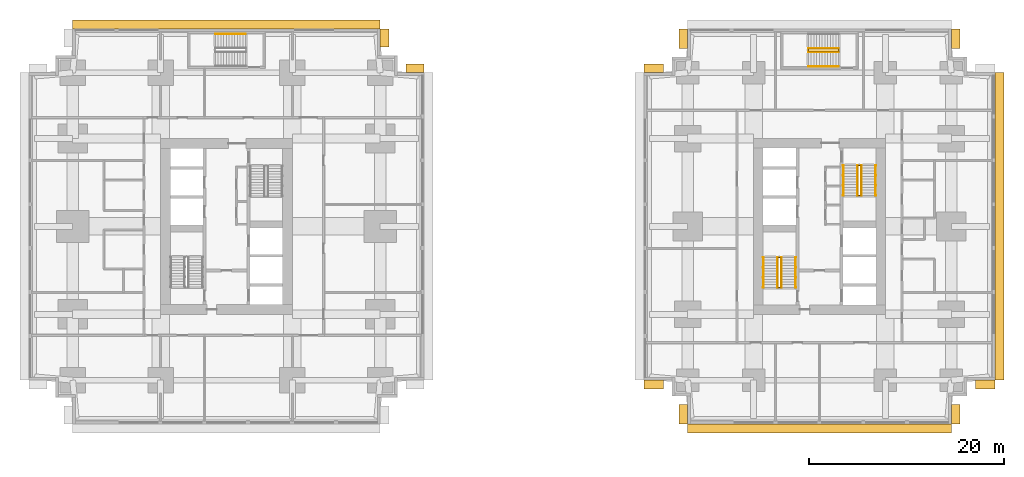
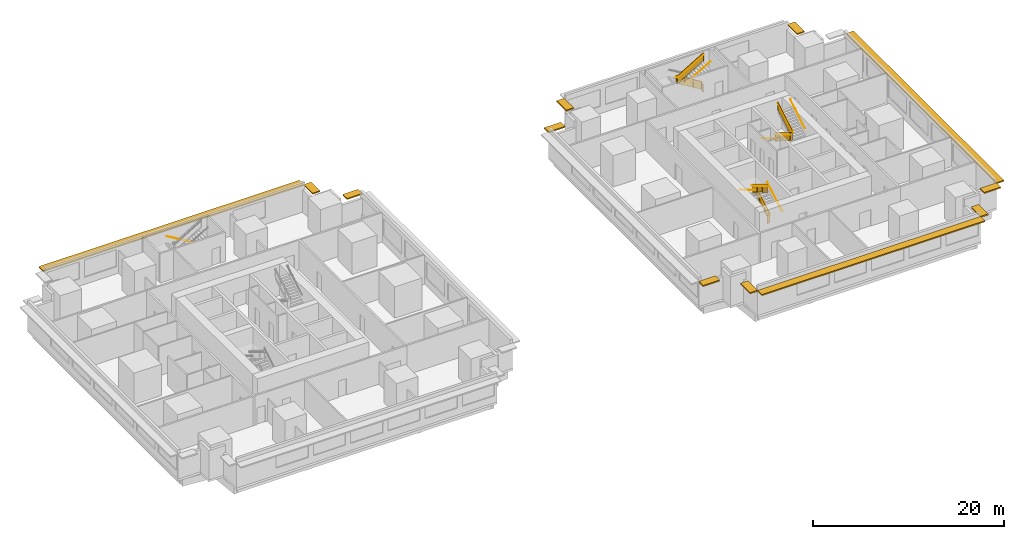
# One storey, part 11 of 12: 15 railings, 12 shading devices.
"""IFC4 building model written with IfcOpenShell, lengths in metres."""

from ifc_helpers import new_model, si_unit, direction, frame, origin, origin_2d, place, context, subcontext, project, spatial, polyline, rectangle, circle, outline, extrude, material, layer, layer_set, type_object, element, save


model = new_model("IFC4")

# Units and contexts
model_context = context("Model", 3, precision=1e-05, world=origin(), true_north=direction((0.0, 1.0)))
body_context = subcontext(model_context, "Body", "Model", "MODEL_VIEW")
ifc_project = project(units=[si_unit("LENGTHUNIT", "METRE"), si_unit("AREAUNIT", "SQUARE_METRE"), si_unit("VOLUMEUNIT", "CUBIC_METRE"), si_unit("PLANEANGLEUNIT", "RADIAN"), si_unit("MASSUNIT", "GRAM", prefix="KILO")], contexts=[model_context])

# Site, building, storey
site_placement = place(None, origin())
site = spatial("IfcSite", under=ifc_project, at=site_placement, CompositionType="ELEMENT")
building_placement = place(site_placement, origin())
building = spatial("IfcBuilding", under=site, at=building_placement, Name="Namib Vertical Campus", CompositionType="ELEMENT")
storey_placement = place(building_placement, frame((0.0, 0.0, 45.0)))
storey = spatial("IfcBuildingStorey", under=building, at=storey_placement, Name="L10", CompositionType="ELEMENT", Elevation=45.0)

# Railings
ifc_material_1 = material(Name="Steel handrail", Category="steel")
railing_type_1 = type_object("IfcRailingType", Name="Handrail 900", PredefinedType="HANDRAIL", material=ifc_material_1)
railing_1_placement = place(storey_placement, frame((78.550048828125, 14.0, 0.166748046875)))
element("IfcRailing", 1, at=railing_1_placement, inside=storey, type_object=railing_type_1, Name="Handrail HR1 B-S1 L10 1", PredefinedType="HANDRAIL", context=body_context, shape_type="SweptSolid", body=[
    extrude(circle(Radius=0.02392578125, at=origin_2d()), frame((0.0, 0.0, 0.8759765625), z_axis=(0.0, 0.859308565015, 0.511457515432), x_axis=(-1.0, 0.0, 0.0)), (0.0, 0.0, 1.0), 3.58447265625),
    extrude(circle(Radius=0.008056640625, at=origin_2d()), frame((0.0, 0.0, 0.8759765625), z_axis=(1.0, 0.0, 0.0), x_axis=(0.0, 0.0, 1.0)), (0.0, 0.0, 1.0), 0.050048828125),
    extrude(circle(Radius=0.008056640625, at=origin_2d()), frame((0.0, 1.026611328125, 1.48681640625), z_axis=(1.0, 0.0, 0.0), x_axis=(0.0, 0.0, 1.0)), (0.0, 0.0, 1.0), 0.050048828125),
    extrude(circle(Radius=0.008056640625, at=origin_2d()), frame((0.0, 2.053466796875, 2.09814453125), z_axis=(1.0, 0.0, 0.0), x_axis=(0.0, 0.0, 1.0)), (0.0, 0.0, 1.0), 0.050048828125),
    extrude(circle(Radius=0.008056640625, at=origin_2d()), frame((0.0, 3.080078125, 2.708984375), z_axis=(1.0, 0.0, 0.0), x_axis=(0.0, 0.0, 1.0)), (0.0, 0.0, 1.0), 0.050048828125),
])
railing_2_placement = place(storey_placement, frame((75.25, 17.080078125, 2.166748046875)))
element("IfcRailing", 2, at=railing_2_placement, inside=storey, type_object=railing_type_1, Name="Handrail HR1 B-S1 L10 2", PredefinedType="HANDRAIL", context=body_context, shape_type="SweptSolid", body=[
    extrude(circle(Radius=0.02392578125, at=origin_2d()), frame((0.0, 0.0, 0.8759765625), z_axis=(0.0, -0.859308565015, 0.511457515432), x_axis=(1.0, 0.0, 0.0)), (0.0, 0.0, 1.0), 3.58447265625),
    extrude(circle(Radius=0.008056640625, at=origin_2d()), frame((0.0, 0.0, 0.8759765625), z_axis=(-1.0, 0.0, 0.0), x_axis=(0.0, 0.0, 1.0)), (0.0, 0.0, 1.0), 0.050048828125),
    extrude(circle(Radius=0.008056640625, at=origin_2d()), frame((0.0, -1.026611328125, 1.48681640625), z_axis=(-1.0, 0.0, 0.0), x_axis=(0.0, 0.0, 1.0)), (0.0, 0.0, 1.0), 0.050048828125),
    extrude(circle(Radius=0.008056640625, at=origin_2d()), frame((0.0, -2.053466796875, 2.09814453125), z_axis=(-1.0, 0.0, 0.0), x_axis=(0.0, 0.0, 1.0)), (0.0, 0.0, 1.0), 0.050048828125),
    extrude(circle(Radius=0.008056640625, at=origin_2d()), frame((0.0, -3.080078125, 2.708984375), z_axis=(-1.0, 0.0, 0.0), x_axis=(0.0, 0.0, 1.0)), (0.0, 0.0, 1.0), 0.050048828125),
])
railing_3_placement = place(storey_placement, frame((77.10009765625, 14.0, 0.166748046875)))
element("IfcRailing", 3, at=railing_3_placement, inside=storey, type_object=railing_type_1, Name="Handrail HR1 B-S1 L10 1 at the well", PredefinedType="HANDRAIL", context=body_context, shape_type="SweptSolid", body=[
    extrude(circle(Radius=0.02392578125, at=origin_2d()), frame((0.0, 0.0, 0.8759765625), z_axis=(0.0, 0.859308565015, 0.511457515432), x_axis=(-1.0, 0.0, 0.0)), (0.0, 0.0, 1.0), 3.58447265625),
    extrude(circle(Radius=0.008056640625, at=origin_2d()), frame((0.0, 0.0, 0.8759765625), z_axis=(-1.0, 0.0, 0.0), x_axis=(0.0, 0.0, 1.0)), (0.0, 0.0, 1.0), 0.0400390625),
    extrude(circle(Radius=0.008056640625, at=origin_2d()), frame((0.0, 1.026611328125, 1.48681640625), z_axis=(-1.0, 0.0, 0.0), x_axis=(0.0, 0.0, 1.0)), (0.0, 0.0, 1.0), 0.0400390625),
    extrude(circle(Radius=0.008056640625, at=origin_2d()), frame((0.0, 2.053466796875, 2.09814453125), z_axis=(-1.0, 0.0, 0.0), x_axis=(0.0, 0.0, 1.0)), (0.0, 0.0, 1.0), 0.0400390625),
    extrude(circle(Radius=0.008056640625, at=origin_2d()), frame((0.0, 3.080078125, 2.708984375), z_axis=(-1.0, 0.0, 0.0), x_axis=(0.0, 0.0, 1.0)), (0.0, 0.0, 1.0), 0.0400390625),
])
railing_4_placement = place(storey_placement, frame((76.699951171875, 17.080078125, 2.166748046875)))
element("IfcRailing", 4, at=railing_4_placement, inside=storey, type_object=railing_type_1, Name="Handrail HR1 B-S1 L10 2 at the well", PredefinedType="HANDRAIL", context=body_context, shape_type="SweptSolid", body=[
    extrude(circle(Radius=0.02392578125, at=origin_2d()), frame((0.0, 0.0, 0.8759765625), z_axis=(0.0, -0.859308565015, 0.511457515432), x_axis=(1.0, 0.0, 0.0)), (0.0, 0.0, 1.0), 3.58447265625),
    extrude(circle(Radius=0.008056640625, at=origin_2d()), frame((0.0, 0.0, 0.8759765625), z_axis=(1.0, 0.0, 0.0), x_axis=(0.0, 0.0, 1.0)), (0.0, 0.0, 1.0), 0.0400390625),
    extrude(circle(Radius=0.008056640625, at=origin_2d()), frame((0.0, -1.026611328125, 1.48681640625), z_axis=(1.0, 0.0, 0.0), x_axis=(0.0, 0.0, 1.0)), (0.0, 0.0, 1.0), 0.0400390625),
    extrude(circle(Radius=0.008056640625, at=origin_2d()), frame((0.0, -2.053466796875, 2.09814453125), z_axis=(1.0, 0.0, 0.0), x_axis=(0.0, 0.0, 1.0)), (0.0, 0.0, 1.0), 0.0400390625),
    extrude(circle(Radius=0.008056640625, at=origin_2d()), frame((0.0, -3.080078125, 2.708984375), z_axis=(1.0, 0.0, 0.0), x_axis=(0.0, 0.0, 1.0)), (0.0, 0.0, 1.0), 0.0400390625),
])
railing_5_placement = place(storey_placement, frame((83.449951171875, 26.5, 0.166748046875)))
element("IfcRailing", 5, at=railing_5_placement, inside=storey, type_object=railing_type_1, Name="Handrail HR1 B-S2 L10 1", PredefinedType="HANDRAIL", context=body_context, shape_type="SweptSolid", body=[
    extrude(circle(Radius=0.02392578125, at=origin_2d()), frame((0.0, 0.0, 0.8759765625), z_axis=(0.0, -0.859308565015, 0.511457515432), x_axis=(1.0, 0.0, 0.0)), (0.0, 0.0, 1.0), 3.58447265625),
    extrude(circle(Radius=0.008056640625, at=origin_2d()), frame((0.0, 0.0, 0.8759765625), z_axis=(-1.0, 0.0, 0.0), x_axis=(0.0, 0.0, 1.0)), (0.0, 0.0, 1.0), 0.050048828125),
    extrude(circle(Radius=0.008056640625, at=origin_2d()), frame((0.0, -1.026611328125, 1.48681640625), z_axis=(-1.0, 0.0, 0.0), x_axis=(0.0, 0.0, 1.0)), (0.0, 0.0, 1.0), 0.050048828125),
    extrude(circle(Radius=0.008056640625, at=origin_2d()), frame((0.0, -2.053466796875, 2.09814453125), z_axis=(-1.0, 0.0, 0.0), x_axis=(0.0, 0.0, 1.0)), (0.0, 0.0, 1.0), 0.050048828125),
    extrude(circle(Radius=0.008056640625, at=origin_2d()), frame((0.0, -3.080078125, 2.708984375), z_axis=(-1.0, 0.0, 0.0), x_axis=(0.0, 0.0, 1.0)), (0.0, 0.0, 1.0), 0.050048828125),
])
railing_6_placement = place(storey_placement, frame((86.75, 23.419921875, 2.166748046875)))
element("IfcRailing", 6, at=railing_6_placement, inside=storey, type_object=railing_type_1, Name="Handrail HR1 B-S2 L10 2", PredefinedType="HANDRAIL", context=body_context, shape_type="SweptSolid", body=[
    extrude(circle(Radius=0.02392578125, at=origin_2d()), frame((0.0, 0.0, 0.8759765625), z_axis=(0.0, 0.859308565015, 0.511457515432), x_axis=(-1.0, 0.0, 0.0)), (0.0, 0.0, 1.0), 3.58447265625),
    extrude(circle(Radius=0.008056640625, at=origin_2d()), frame((0.0, 0.0, 0.8759765625), z_axis=(1.0, 0.0, 0.0), x_axis=(0.0, 0.0, 1.0)), (0.0, 0.0, 1.0), 0.050048828125),
    extrude(circle(Radius=0.008056640625, at=origin_2d()), frame((0.0, 1.026611328125, 1.48681640625), z_axis=(1.0, 0.0, 0.0), x_axis=(0.0, 0.0, 1.0)), (0.0, 0.0, 1.0), 0.050048828125),
    extrude(circle(Radius=0.008056640625, at=origin_2d()), frame((0.0, 2.053466796875, 2.09814453125), z_axis=(1.0, 0.0, 0.0), x_axis=(0.0, 0.0, 1.0)), (0.0, 0.0, 1.0), 0.050048828125),
    extrude(circle(Radius=0.008056640625, at=origin_2d()), frame((0.0, 3.080078125, 2.708984375), z_axis=(1.0, 0.0, 0.0), x_axis=(0.0, 0.0, 1.0)), (0.0, 0.0, 1.0), 0.050048828125),
])
railing_7_placement = place(storey_placement, frame((84.89990234375, 26.5, 0.166748046875)))
element("IfcRailing", 7, at=railing_7_placement, inside=storey, type_object=railing_type_1, Name="Handrail HR1 B-S2 L10 1 at the well", PredefinedType="HANDRAIL", context=body_context, shape_type="SweptSolid", body=[
    extrude(circle(Radius=0.02392578125, at=origin_2d()), frame((0.0, 0.0, 0.8759765625), z_axis=(0.0, -0.859308565015, 0.511457515432), x_axis=(1.0, 0.0, 0.0)), (0.0, 0.0, 1.0), 3.58447265625),
    extrude(circle(Radius=0.008056640625, at=origin_2d()), frame((0.0, 0.0, 0.8759765625), z_axis=(1.0, 0.0, 0.0), x_axis=(0.0, 0.0, 1.0)), (0.0, 0.0, 1.0), 0.0400390625),
    extrude(circle(Radius=0.008056640625, at=origin_2d()), frame((0.0, -1.026611328125, 1.48681640625), z_axis=(1.0, 0.0, 0.0), x_axis=(0.0, 0.0, 1.0)), (0.0, 0.0, 1.0), 0.0400390625),
    extrude(circle(Radius=0.008056640625, at=origin_2d()), frame((0.0, -2.053466796875, 2.09814453125), z_axis=(1.0, 0.0, 0.0), x_axis=(0.0, 0.0, 1.0)), (0.0, 0.0, 1.0), 0.0400390625),
    extrude(circle(Radius=0.008056640625, at=origin_2d()), frame((0.0, -3.080078125, 2.708984375), z_axis=(1.0, 0.0, 0.0), x_axis=(0.0, 0.0, 1.0)), (0.0, 0.0, 1.0), 0.0400390625),
])
railing_8_placement = place(storey_placement, frame((85.300048828125, 23.419921875, 2.166748046875)))
element("IfcRailing", 8, at=railing_8_placement, inside=storey, type_object=railing_type_1, Name="Handrail HR1 B-S2 L10 2 at the well", PredefinedType="HANDRAIL", context=body_context, shape_type="SweptSolid", body=[
    extrude(circle(Radius=0.02392578125, at=origin_2d()), frame((0.0, 0.0, 0.8759765625), z_axis=(0.0, 0.859308565015, 0.511457515432), x_axis=(-1.0, 0.0, 0.0)), (0.0, 0.0, 1.0), 3.58447265625),
    extrude(circle(Radius=0.008056640625, at=origin_2d()), frame((0.0, 0.0, 0.8759765625), z_axis=(-1.0, 0.0, 0.0), x_axis=(0.0, 0.0, 1.0)), (0.0, 0.0, 1.0), 0.0400390625),
    extrude(circle(Radius=0.008056640625, at=origin_2d()), frame((0.0, 1.026611328125, 1.48681640625), z_axis=(-1.0, 0.0, 0.0), x_axis=(0.0, 0.0, 1.0)), (0.0, 0.0, 1.0), 0.0400390625),
    extrude(circle(Radius=0.008056640625, at=origin_2d()), frame((0.0, 2.053466796875, 2.09814453125), z_axis=(-1.0, 0.0, 0.0), x_axis=(0.0, 0.0, 1.0)), (0.0, 0.0, 1.0), 0.0400390625),
    extrude(circle(Radius=0.008056640625, at=origin_2d()), frame((0.0, 3.080078125, 2.708984375), z_axis=(-1.0, 0.0, 0.0), x_axis=(0.0, 0.0, 1.0)), (0.0, 0.0, 1.0), 0.0400390625),
])
railing_9_placement = place(storey_placement, frame((22.199951171875, 39.949951171875, 0.166748046875)))
element("IfcRailing", 9, at=railing_9_placement, inside=storey, type_object=railing_type_1, Name="Handrail HR1 A-S3 L10 1", PredefinedType="HANDRAIL", context=body_context, shape_type="SweptSolid", body=[
    extrude(circle(Radius=0.02392578125, at=origin_2d()), frame((0.0, 0.0, 0.8759765625), z_axis=(-0.859290745958, 0.0, 0.51148745235), x_axis=(0.0, -1.0, 0.0)), (0.0, 0.0, 1.0), 3.584228515625),
    extrude(circle(Radius=0.008056640625, at=origin_2d()), frame((0.0, 0.0, 0.8759765625), z_axis=(0.0, 1.0, 0.0), x_axis=(0.0, 0.0, 1.0)), (0.0, 0.0, 1.0), 0.050048828125),
    extrude(circle(Radius=0.008056640625, at=origin_2d()), frame((-1.026611328125, 0.0, 1.48681640625), z_axis=(0.0, 1.0, 0.0), x_axis=(0.0, 0.0, 1.0)), (0.0, 0.0, 1.0), 0.050048828125),
    extrude(circle(Radius=0.008056640625, at=origin_2d()), frame((-2.05322265625, 0.0, 2.09814453125), z_axis=(0.0, 1.0, 0.0), x_axis=(0.0, 0.0, 1.0)), (0.0, 0.0, 1.0), 0.050048828125),
    extrude(circle(Radius=0.008056640625, at=origin_2d()), frame((-3.079833984375, 0.0, 2.708984375), z_axis=(0.0, 1.0, 0.0), x_axis=(0.0, 0.0, 1.0)), (0.0, 0.0, 1.0), 0.050048828125),
])
railing_10_placement = place(storey_placement, frame((79.8701171875, 36.64990234375, 2.166748046875)))
element("IfcRailing", 10, at=railing_10_placement, inside=storey, type_object=railing_type_1, Name="Handrail HR1 B-S3 L10 2", PredefinedType="HANDRAIL", context=body_context, shape_type="SweptSolid", body=[
    extrude(circle(Radius=0.02392578125, at=origin_2d()), frame((0.0, 0.0, 0.8759765625), z_axis=(0.859290745958, 0.0, 0.51148745235), x_axis=(0.0, 1.0, 0.0)), (0.0, 0.0, 1.0), 3.584228515625),
    extrude(circle(Radius=0.008056640625, at=origin_2d()), frame((0.0, 0.0, 0.8759765625), z_axis=(0.0, -1.0, 0.0), x_axis=(0.0, 0.0, 1.0)), (0.0, 0.0, 1.0), 0.050048828125),
    extrude(circle(Radius=0.008056640625, at=origin_2d()), frame((1.026611328125, 0.0, 1.48681640625), z_axis=(0.0, -1.0, 0.0), x_axis=(0.0, 0.0, 1.0)), (0.0, 0.0, 1.0), 0.050048828125),
    extrude(circle(Radius=0.008056640625, at=origin_2d()), frame((2.05322265625, 0.0, 2.09814453125), z_axis=(0.0, -1.0, 0.0), x_axis=(0.0, 0.0, 1.0)), (0.0, 0.0, 1.0), 0.050048828125),
    extrude(circle(Radius=0.008056640625, at=origin_2d()), frame((3.079833984375, 0.0, 2.708984375), z_axis=(0.0, -1.0, 0.0), x_axis=(0.0, 0.0, 1.0)), (0.0, 0.0, 1.0), 0.050048828125),
])
railing_11_placement = place(storey_placement, frame((82.949951171875, 38.5, 0.166748046875)))
element("IfcRailing", 11, at=railing_11_placement, inside=storey, type_object=railing_type_1, Name="Handrail HR1 B-S3 L10 1 at the well", PredefinedType="HANDRAIL", context=body_context, shape_type="SweptSolid", body=[
    extrude(circle(Radius=0.02392578125, at=origin_2d()), frame((0.0, 0.0, 0.8759765625), z_axis=(-0.859290745958, 0.0, 0.51148745235), x_axis=(0.0, -1.0, 0.0)), (0.0, 0.0, 1.0), 3.584228515625),
    extrude(circle(Radius=0.008056640625, at=origin_2d()), frame((0.0, 0.0, 0.8759765625), z_axis=(0.0, -1.0, 0.0), x_axis=(0.0, 0.0, 1.0)), (0.0, 0.0, 1.0), 0.0400390625),
    extrude(circle(Radius=0.008056640625, at=origin_2d()), frame((-1.026611328125, 0.0, 1.48681640625), z_axis=(0.0, -1.0, 0.0), x_axis=(0.0, 0.0, 1.0)), (0.0, 0.0, 1.0), 0.0400390625),
    extrude(circle(Radius=0.008056640625, at=origin_2d()), frame((-2.05322265625, 0.0, 2.09814453125), z_axis=(0.0, -1.0, 0.0), x_axis=(0.0, 0.0, 1.0)), (0.0, 0.0, 1.0), 0.0400390625),
    extrude(circle(Radius=0.008056640625, at=origin_2d()), frame((-3.079833984375, 0.0, 2.708984375), z_axis=(0.0, -1.0, 0.0), x_axis=(0.0, 0.0, 1.0)), (0.0, 0.0, 1.0), 0.0400390625),
])
railing_12_placement = place(storey_placement, frame((79.8701171875, 38.10009765625, 2.166748046875)))
element("IfcRailing", 12, at=railing_12_placement, inside=storey, type_object=railing_type_1, Name="Handrail HR1 B-S3 L10 2 at the well", PredefinedType="HANDRAIL", context=body_context, shape_type="SweptSolid", body=[
    extrude(circle(Radius=0.02392578125, at=origin_2d()), frame((0.0, 0.0, 0.8759765625), z_axis=(0.859290745958, 0.0, 0.51148745235), x_axis=(0.0, 1.0, 0.0)), (0.0, 0.0, 1.0), 3.584228515625),
    extrude(circle(Radius=0.008056640625, at=origin_2d()), frame((0.0, 0.0, 0.8759765625), z_axis=(0.0, 1.0, 0.0), x_axis=(0.0, 0.0, 1.0)), (0.0, 0.0, 1.0), 0.0400390625),
    extrude(circle(Radius=0.008056640625, at=origin_2d()), frame((1.026611328125, 0.0, 1.48681640625), z_axis=(0.0, 1.0, 0.0), x_axis=(0.0, 0.0, 1.0)), (0.0, 0.0, 1.0), 0.0400390625),
    extrude(circle(Radius=0.008056640625, at=origin_2d()), frame((2.05322265625, 0.0, 2.09814453125), z_axis=(0.0, 1.0, 0.0), x_axis=(0.0, 0.0, 1.0)), (0.0, 0.0, 1.0), 0.0400390625),
    extrude(circle(Radius=0.008056640625, at=origin_2d()), frame((3.079833984375, 0.0, 2.708984375), z_axis=(0.0, 1.0, 0.0), x_axis=(0.0, 0.0, 1.0)), (0.0, 0.0, 1.0), 0.0400390625),
])
ifc_material_2 = material(Name="Steel balustrade", Category="steel")
railing_type_2 = type_object("IfcRailingType", Name="Stair guard 1100", PredefinedType="GUARDRAIL", material=ifc_material_2)
railing_13_placement = place(storey_placement, frame((76.75, 14.0, 0.0)))
element("IfcRailing", 13, at=railing_13_placement, inside=storey, type_object=railing_type_2, Name="Stair guard GR1 B-S1 L10", PredefinedType="GUARDRAIL", context=body_context, shape_type="SweptSolid", body=[
    extrude(circle(Radius=0.02392578125, at=origin_2d()), frame((0.0, 0.0, 1.076171875), z_axis=(1.0, 0.0, 0.0), x_axis=(0.0, 1.0, 0.0)), (0.0, 0.0, 1.0), 0.300048828125),
    extrude(outline(polyline([(0.02099609375, 0.050048828125), (0.279052734375, 0.050048828125), (0.279052734375, 1.052001953125), (0.02099609375, 1.052001953125), (0.02099609375, 0.050048828125)])), frame((0.0, 0.010009765625, 0.0), z_axis=(0.0, -1.0, 0.0), x_axis=(1.0, 0.0, 0.0)), (0.0, 0.0, 1.0), 0.02001953125),
    extrude(circle(Radius=0.02392578125, at=origin_2d()), frame((0.300048828125, 0.0, 1.076171875), z_axis=(0.0, 0.0, 1.0), x_axis=(1.0, 0.0, 0.0)), (0.0, 0.0, 1.0), 0.166748046875),
    extrude(circle(Radius=0.02392578125, at=origin_2d()), frame((0.300048828125, 0.0, 1.24267578125), z_axis=(0.0, 0.859308565015, 0.511457515432), x_axis=(-1.0, 0.0, 0.0)), (0.0, 0.0, 1.0), 3.58447265625),
    extrude(outline(polyline([(0.02099609375, 0.0625), (3.05908203125, 1.870849609375), (3.05908203125, 2.872802734375), (0.02099609375, 1.064453125), (0.02099609375, 0.0625)])), frame((0.2900390625, 0.0, 0.166748046875), z_axis=(1.0, 0.0, 0.0), x_axis=(0.0, 1.0, 0.0)), (0.0, 0.0, 1.0), 0.02001953125),
    extrude(circle(Radius=0.02392578125, at=origin_2d()), frame((0.300048828125, 3.080078125, 3.076171875), z_axis=(-1.0, 0.0, 0.0), x_axis=(0.0, -1.0, 0.0)), (0.0, 0.0, 1.0), 0.300048828125),
    extrude(outline(polyline([(0.02099609375, 0.050048828125), (0.279052734375, 0.050048828125), (0.279052734375, 1.052001953125), (0.02099609375, 1.052001953125), (0.02099609375, 0.050048828125)])), frame((0.300048828125, 3.070068359375, 2.0), z_axis=(0.0, 1.0, 0.0), x_axis=(-1.0, 0.0, 0.0)), (0.0, 0.0, 1.0), 0.02001953125),
    extrude(circle(Radius=0.02392578125, at=origin_2d()), frame((0.0, 3.080078125, 3.076171875), z_axis=(0.0, 0.0, 1.0), x_axis=(1.0, 0.0, 0.0)), (0.0, 0.0, 1.0), 0.166748046875),
    extrude(circle(Radius=0.02392578125, at=origin_2d()), frame((0.0, 3.080078125, 3.24267578125), z_axis=(0.0, -0.859308565015, 0.511457515432), x_axis=(1.0, 0.0, 0.0)), (0.0, 0.0, 1.0), 3.58447265625),
    extrude(outline(polyline([(0.02099609375, 0.0625), (3.05908203125, 1.870849609375), (3.05908203125, 2.872802734375), (0.02099609375, 1.064453125), (0.02099609375, 0.0625)])), frame((0.010009765625, 3.080078125, 2.166748046875), z_axis=(-1.0, 0.0, 0.0), x_axis=(0.0, -1.0, 0.0)), (0.0, 0.0, 1.0), 0.02001953125),
    extrude(circle(Radius=0.02392578125, at=origin_2d()), frame((0.0, 0.0, 5.076171875), z_axis=(0.0, -1.0, 0.0), x_axis=(1.0, 0.0, 0.0)), (0.0, 0.0, 1.0), 0.050048828125),
    extrude(outline(polyline([(0.02099609375, 0.050048828125), (0.029052734375, 0.050048828125), (0.029052734375, 1.052001953125), (0.02099609375, 1.052001953125), (0.02099609375, 0.050048828125)])), frame((0.010009765625, 0.0, 4.0), z_axis=(-1.0, 0.0, 0.0), x_axis=(0.0, -1.0, 0.0)), (0.0, 0.0, 1.0), 0.02001953125),
    extrude(circle(Radius=0.02099609375, at=origin_2d()), origin(), (0.0, 0.0, 1.0), 1.052001953125),
    extrude(circle(Radius=0.02099609375, at=origin_2d()), frame((0.300048828125, 0.0, 0.166748046875)), (0.0, 0.0, 1.0), 1.052001953125),
    extrude(circle(Radius=0.02099609375, at=origin_2d()), frame((0.300048828125, 1.026611328125, 0.666748046875)), (0.0, 0.0, 1.0), 1.1630859375),
    extrude(circle(Radius=0.02099609375, at=origin_2d()), frame((0.300048828125, 2.053466796875, 1.33349609375)), (0.0, 0.0, 1.0), 1.107421875),
    extrude(circle(Radius=0.02099609375, at=origin_2d()), frame((0.300048828125, 3.080078125, 2.0)), (0.0, 0.0, 1.0), 1.052001953125),
    extrude(circle(Radius=0.02099609375, at=origin_2d()), frame((0.0, 3.080078125, 2.166748046875)), (0.0, 0.0, 1.0), 1.052001953125),
    extrude(circle(Radius=0.02099609375, at=origin_2d()), frame((0.0, 2.053466796875, 2.666748046875)), (0.0, 0.0, 1.0), 1.1630859375),
    extrude(circle(Radius=0.02099609375, at=origin_2d()), frame((0.0, 1.026611328125, 3.33349609375)), (0.0, 0.0, 1.0), 1.107421875),
    extrude(circle(Radius=0.02099609375, at=origin_2d()), frame((0.0, 0.0, 4.0)), (0.0, 0.0, 1.0), 1.052001953125),
    extrude(circle(Radius=0.02099609375, at=origin_2d()), frame((0.0, -0.050048828125, 4.0)), (0.0, 0.0, 1.0), 1.052001953125),
])
railing_14_placement = place(storey_placement, frame((85.25, 26.5, 0.0)))
element("IfcRailing", 14, at=railing_14_placement, inside=storey, type_object=railing_type_2, Name="Stair guard GR1 B-S2 L10", PredefinedType="GUARDRAIL", context=body_context, shape_type="SweptSolid", body=[
    extrude(circle(Radius=0.02392578125, at=origin_2d()), frame((0.0, 0.0, 1.076171875), z_axis=(-1.0, 0.0, 0.0), x_axis=(0.0, -1.0, 0.0)), (0.0, 0.0, 1.0), 0.300048828125),
    extrude(outline(polyline([(0.02099609375, 0.050048828125), (0.279052734375, 0.050048828125), (0.279052734375, 1.052001953125), (0.02099609375, 1.052001953125), (0.02099609375, 0.050048828125)])), frame((0.0, -0.010009765625, 0.0), z_axis=(0.0, 1.0, 0.0), x_axis=(-1.0, 0.0, 0.0)), (0.0, 0.0, 1.0), 0.02001953125),
    extrude(circle(Radius=0.02392578125, at=origin_2d()), frame((-0.300048828125, 0.0, 1.076171875), z_axis=(0.0, 0.0, 1.0), x_axis=(1.0, 0.0, 0.0)), (0.0, 0.0, 1.0), 0.166748046875),
    extrude(circle(Radius=0.02392578125, at=origin_2d()), frame((-0.300048828125, 0.0, 1.24267578125), z_axis=(0.0, -0.859308565015, 0.511457515432), x_axis=(1.0, 0.0, 0.0)), (0.0, 0.0, 1.0), 3.58447265625),
    extrude(outline(polyline([(0.02099609375, 0.0625), (3.05908203125, 1.870849609375), (3.05908203125, 2.872802734375), (0.02099609375, 1.064453125), (0.02099609375, 0.0625)])), frame((-0.2900390625, 0.0, 0.166748046875), z_axis=(-1.0, 0.0, 0.0), x_axis=(0.0, -1.0, 0.0)), (0.0, 0.0, 1.0), 0.02001953125),
    extrude(circle(Radius=0.02392578125, at=origin_2d()), frame((-0.300048828125, -3.080078125, 3.076171875), z_axis=(1.0, 0.0, 0.0), x_axis=(0.0, 1.0, 0.0)), (0.0, 0.0, 1.0), 0.300048828125),
    extrude(outline(polyline([(0.02099609375, 0.050048828125), (0.279052734375, 0.050048828125), (0.279052734375, 1.052001953125), (0.02099609375, 1.052001953125), (0.02099609375, 0.050048828125)])), frame((-0.300048828125, -3.070068359375, 2.0), z_axis=(0.0, -1.0, 0.0), x_axis=(1.0, 0.0, 0.0)), (0.0, 0.0, 1.0), 0.02001953125),
    extrude(circle(Radius=0.02392578125, at=origin_2d()), frame((0.0, -3.080078125, 3.076171875), z_axis=(0.0, 0.0, 1.0), x_axis=(1.0, 0.0, 0.0)), (0.0, 0.0, 1.0), 0.166748046875),
    extrude(circle(Radius=0.02392578125, at=origin_2d()), frame((0.0, -3.080078125, 3.24267578125), z_axis=(0.0, 0.859308565015, 0.511457515432), x_axis=(-1.0, 0.0, 0.0)), (0.0, 0.0, 1.0), 3.58447265625),
    extrude(outline(polyline([(0.02099609375, 0.0625), (3.05908203125, 1.870849609375), (3.05908203125, 2.872802734375), (0.02099609375, 1.064453125), (0.02099609375, 0.0625)])), frame((-0.010009765625, -3.080078125, 2.166748046875), z_axis=(1.0, 0.0, 0.0), x_axis=(0.0, 1.0, 0.0)), (0.0, 0.0, 1.0), 0.02001953125),
    extrude(circle(Radius=0.02392578125, at=origin_2d()), frame((0.0, 0.0, 5.076171875), z_axis=(0.0, 1.0, 0.0), x_axis=(-1.0, 0.0, 0.0)), (0.0, 0.0, 1.0), 0.050048828125),
    extrude(outline(polyline([(0.02099609375, 0.050048828125), (0.029052734375, 0.050048828125), (0.029052734375, 1.052001953125), (0.02099609375, 1.052001953125), (0.02099609375, 0.050048828125)])), frame((-0.010009765625, 0.0, 4.0), z_axis=(1.0, 0.0, 0.0), x_axis=(0.0, 1.0, 0.0)), (0.0, 0.0, 1.0), 0.02001953125),
    extrude(circle(Radius=0.02099609375, at=origin_2d()), origin(), (0.0, 0.0, 1.0), 1.052001953125),
    extrude(circle(Radius=0.02099609375, at=origin_2d()), frame((-0.300048828125, 0.0, 0.166748046875)), (0.0, 0.0, 1.0), 1.052001953125),
    extrude(circle(Radius=0.02099609375, at=origin_2d()), frame((-0.300048828125, -1.026611328125, 0.666748046875)), (0.0, 0.0, 1.0), 1.1630859375),
    extrude(circle(Radius=0.02099609375, at=origin_2d()), frame((-0.300048828125, -2.053466796875, 1.33349609375)), (0.0, 0.0, 1.0), 1.107421875),
    extrude(circle(Radius=0.02099609375, at=origin_2d()), frame((-0.300048828125, -3.080078125, 2.0)), (0.0, 0.0, 1.0), 1.052001953125),
    extrude(circle(Radius=0.02099609375, at=origin_2d()), frame((0.0, -3.080078125, 2.166748046875)), (0.0, 0.0, 1.0), 1.052001953125),
    extrude(circle(Radius=0.02099609375, at=origin_2d()), frame((0.0, -2.053466796875, 2.666748046875)), (0.0, 0.0, 1.0), 1.1630859375),
    extrude(circle(Radius=0.02099609375, at=origin_2d()), frame((0.0, -1.026611328125, 3.33349609375)), (0.0, 0.0, 1.0), 1.107421875),
    extrude(circle(Radius=0.02099609375, at=origin_2d()), frame((0.0, 0.0, 4.0)), (0.0, 0.0, 1.0), 1.052001953125),
    extrude(circle(Radius=0.02099609375, at=origin_2d()), frame((0.0, 0.050048828125, 4.0)), (0.0, 0.0, 1.0), 1.052001953125),
])
railing_15_placement = place(storey_placement, frame((82.949951171875, 38.14990234375, 0.0)))
element("IfcRailing", 15, at=railing_15_placement, inside=storey, type_object=railing_type_2, Name="Stair guard GR1 B-S3 L10", PredefinedType="GUARDRAIL", context=body_context, shape_type="SweptSolid", body=[
    extrude(circle(Radius=0.02392578125, at=origin_2d()), frame((0.0, 0.0, 1.076171875), z_axis=(0.0, 1.0, 0.0), x_axis=(-1.0, 0.0, 0.0)), (0.0, 0.0, 1.0), 0.300048828125),
    extrude(outline(polyline([(0.02099609375, 0.050048828125), (0.279052734375, 0.050048828125), (0.279052734375, 1.052001953125), (0.02099609375, 1.052001953125), (0.02099609375, 0.050048828125)])), frame((-0.010009765625, 0.0, 0.0), z_axis=(1.0, 0.0, 0.0), x_axis=(0.0, 1.0, 0.0)), (0.0, 0.0, 1.0), 0.02001953125),
    extrude(circle(Radius=0.02392578125, at=origin_2d()), frame((0.0, 0.300048828125, 1.076171875), z_axis=(0.0, 0.0, 1.0), x_axis=(1.0, 0.0, 0.0)), (0.0, 0.0, 1.0), 0.166748046875),
    extrude(circle(Radius=0.02392578125, at=origin_2d()), frame((0.0, 0.300048828125, 1.24267578125), z_axis=(-0.859290745958, 0.0, 0.51148745235), x_axis=(0.0, -1.0, 0.0)), (0.0, 0.0, 1.0), 3.584228515625),
    extrude(outline(polyline([(0.02099609375, 0.0625), (3.058837890625, 1.870849609375), (3.058837890625, 2.872802734375), (0.02099609375, 1.064453125), (0.02099609375, 0.0625)])), frame((0.0, 0.2900390625, 0.166748046875), z_axis=(0.0, 1.0, 0.0), x_axis=(-1.0, 0.0, 0.0)), (0.0, 0.0, 1.0), 0.02001953125),
    extrude(circle(Radius=0.02392578125, at=origin_2d()), frame((-3.079833984375, 0.300048828125, 3.076171875), z_axis=(0.0, -1.0, 0.0), x_axis=(1.0, 0.0, 0.0)), (0.0, 0.0, 1.0), 0.300048828125),
    extrude(outline(polyline([(0.02099609375, 0.050048828125), (0.279052734375, 0.050048828125), (0.279052734375, 1.052001953125), (0.02099609375, 1.052001953125), (0.02099609375, 0.050048828125)])), frame((-3.06982421875, 0.300048828125, 2.0), z_axis=(-1.0, 0.0, 0.0), x_axis=(0.0, -1.0, 0.0)), (0.0, 0.0, 1.0), 0.02001953125),
    extrude(circle(Radius=0.02392578125, at=origin_2d()), frame((-3.079833984375, 0.0, 3.076171875), z_axis=(0.0, 0.0, 1.0), x_axis=(1.0, 0.0, 0.0)), (0.0, 0.0, 1.0), 0.166748046875),
    extrude(circle(Radius=0.02392578125, at=origin_2d()), frame((-3.079833984375, 0.0, 3.24267578125), z_axis=(0.859290745958, 0.0, 0.51148745235), x_axis=(0.0, 1.0, 0.0)), (0.0, 0.0, 1.0), 3.584228515625),
    extrude(outline(polyline([(0.02099609375, 0.0625), (3.058837890625, 1.870849609375), (3.058837890625, 2.872802734375), (0.02099609375, 1.064453125), (0.02099609375, 0.0625)])), frame((-3.079833984375, 0.010009765625, 2.166748046875), z_axis=(0.0, -1.0, 0.0), x_axis=(1.0, 0.0, 0.0)), (0.0, 0.0, 1.0), 0.02001953125),
    extrude(circle(Radius=0.02392578125, at=origin_2d()), frame((0.0, 0.0, 5.076171875), z_axis=(1.0, 0.0, 0.0), x_axis=(0.0, 1.0, 0.0)), (0.0, 0.0, 1.0), 0.050048828125),
    extrude(outline(polyline([(0.02099609375, 0.050048828125), (0.029052734375, 0.050048828125), (0.029052734375, 1.052001953125), (0.02099609375, 1.052001953125), (0.02099609375, 0.050048828125)])), frame((0.0, 0.010009765625, 4.0), z_axis=(0.0, -1.0, 0.0), x_axis=(1.0, 0.0, 0.0)), (0.0, 0.0, 1.0), 0.02001953125),
    extrude(circle(Radius=0.02099609375, at=origin_2d()), origin(), (0.0, 0.0, 1.0), 1.052001953125),
    extrude(circle(Radius=0.02099609375, at=origin_2d()), frame((0.0, 0.300048828125, 0.166748046875)), (0.0, 0.0, 1.0), 1.052001953125),
    extrude(circle(Radius=0.02099609375, at=origin_2d()), frame((-1.026611328125, 0.300048828125, 0.666748046875)), (0.0, 0.0, 1.0), 1.1630859375),
    extrude(circle(Radius=0.02099609375, at=origin_2d()), frame((-2.05322265625, 0.300048828125, 1.33349609375)), (0.0, 0.0, 1.0), 1.107421875),
    extrude(circle(Radius=0.02099609375, at=origin_2d()), frame((-3.079833984375, 0.300048828125, 2.0)), (0.0, 0.0, 1.0), 1.052001953125),
    extrude(circle(Radius=0.02099609375, at=origin_2d()), frame((-3.079833984375, 0.0, 2.166748046875)), (0.0, 0.0, 1.0), 1.052001953125),
    extrude(circle(Radius=0.02099609375, at=origin_2d()), frame((-2.05322265625, 0.0, 2.666748046875)), (0.0, 0.0, 1.0), 1.1630859375),
    extrude(circle(Radius=0.02099609375, at=origin_2d()), frame((-1.026611328125, 0.0, 3.33349609375)), (0.0, 0.0, 1.0), 1.107421875),
    extrude(circle(Radius=0.02099609375, at=origin_2d()), frame((0.0, 0.0, 4.0)), (0.0, 0.0, 1.0), 1.052001953125),
    extrude(circle(Radius=0.02099609375, at=origin_2d()), frame((0.050048828125, 0.0, 4.0)), (0.0, 0.0, 1.0), 1.052001953125),
])

# Shading devices
ifc_material_3 = material(Name="Concrete C40/50 precast", Category="concrete")
ifc_layer = layer(ifc_material_3, 0.14990234375)
ifc_layer_set = layer_set([ifc_layer], Name="Concrete C40/50 precast")
shading_device_type = type_object("IfcShadingDeviceType", Name="Sunshade hood 900", PredefinedType="SHUTTER", material=ifc_layer_set)
for number, where, z_axis, x_axis, name in (
    (16, (39.574951171875, 36.449951171875, 3.10009765625), (0.0, 0.0, 1.0), (-1.0, 0.0, 0.0), "Sunshade SH1 L10 7"),
    (17, (36.449951171875, 39.574951171875, 3.10009765625), (0.0, 0.0, 1.0), (0.0, 1.0, 0.0), "Sunshade SH1 L10 10"),
):
    element("IfcShadingDevice", number, at=place(storey_placement, frame(where, z_axis=z_axis, x_axis=x_axis)), inside=storey, type_object=shading_device_type, Name=name, PredefinedType="SHUTTER", context=body_context, shape_type="SweptSolid", body=[
        extrude(rectangle(XDim=1.85009765625, YDim=0.89990234375, at=origin_2d()), origin(), (0.0, 0.0, 1.0), 0.14990234375),
    ])
shading_device_1_placement = place(storey_placement, frame((20.25, 40.949951171875, 3.10009765625), z_axis=(0.0, 0.0, 1.0), x_axis=(-1.0, 0.0, 0.0)))
element("IfcShadingDevice", 18, at=shading_device_1_placement, inside=storey, type_object=shading_device_type, Name="Sunshade SH1 L10 11", PredefinedType="SHUTTER", context=body_context, shape_type="SweptSolid", body=[
    extrude(rectangle(XDim=31.5, YDim=0.89990234375, at=origin_2d()), origin(), (0.0, 0.0, 1.0), 0.14990234375),
])
shading_device_2_placement = place(storey_placement, frame((81.0, -0.449951171875, 3.10009765625), z_axis=(0.0, 0.0, 1.0), x_axis=(1.0, 0.0, 0.0)))
element("IfcShadingDevice", 19, at=shading_device_2_placement, inside=storey, type_object=shading_device_type, Name="Sunshade SH1 L10 1", PredefinedType="SHUTTER", context=body_context, shape_type="SweptSolid", body=[
    extrude(rectangle(XDim=27.0, YDim=0.89990234375, at=origin_2d()), origin(), (0.0, 0.0, 1.0), 0.14990234375),
])
for number, where, z_axis, x_axis, name in (
    (20, (94.949951171875, 1.0, 3.10009765625), (0.0, 0.0, 1.0), (0.0, 1.0, 0.0), "Sunshade SH1 L10 2"),
    (21, (98.0, 4.050048828125, 3.10009765625), (0.0, 0.0, 1.0), (1.0, 0.0, 0.0), "Sunshade SH1 L10 5"),
):
    element("IfcShadingDevice", number, at=place(storey_placement, frame(where, z_axis=z_axis, x_axis=x_axis)), inside=storey, type_object=shading_device_type, Name=name, PredefinedType="SHUTTER", context=body_context, shape_type="SweptSolid", body=[
        extrude(rectangle(XDim=2.0, YDim=0.89990234375, at=origin_2d()), origin(), (0.0, 0.0, 1.0), 0.14990234375),
    ])
shading_device_3_placement = place(storey_placement, frame((99.449951171875, 20.25, 3.10009765625), z_axis=(0.0, 0.0, 1.0), x_axis=(0.0, 1.0, 0.0)))
element("IfcShadingDevice", 22, at=shading_device_3_placement, inside=storey, type_object=shading_device_type, Name="Sunshade SH1 L10 6", PredefinedType="SHUTTER", context=body_context, shape_type="SweptSolid", body=[
    extrude(rectangle(XDim=31.5, YDim=0.89990234375, at=origin_2d()), origin(), (0.0, 0.0, 1.0), 0.14990234375),
])
for number, where, z_axis, x_axis, name in (
    (23, (94.949951171875, 39.5, 3.10009765625), (0.0, 0.0, 1.0), (0.0, 1.0, 0.0), "Sunshade SH1 L10 10"),
    (24, (67.050048828125, 39.5, 3.10009765625), (0.0, 0.0, 1.0), (0.0, -1.0, 0.0), "Sunshade SH1 L10 12"),
    (25, (64.0, 36.449951171875, 3.10009765625), (0.0, 0.0, 1.0), (-1.0, 0.0, 0.0), "Sunshade SH1 L10 15"),
    (26, (64.0, 4.050048828125, 3.10009765625), (0.0, 0.0, 1.0), (1.0, 0.0, 0.0), "Sunshade SH1 L10 17"),
    (27, (67.050048828125, 1.0, 3.10009765625), (0.0, 0.0, 1.0), (0.0, -1.0, 0.0), "Sunshade SH1 L10 20"),
):
    element("IfcShadingDevice", number, at=place(storey_placement, frame(where, z_axis=z_axis, x_axis=x_axis)), inside=storey, type_object=shading_device_type, Name=name, PredefinedType="SHUTTER", context=body_context, shape_type="SweptSolid", body=[
        extrude(rectangle(XDim=2.0, YDim=0.89990234375, at=origin_2d()), origin(), (0.0, 0.0, 1.0), 0.14990234375),
    ])

save(model, "model.ifc")
